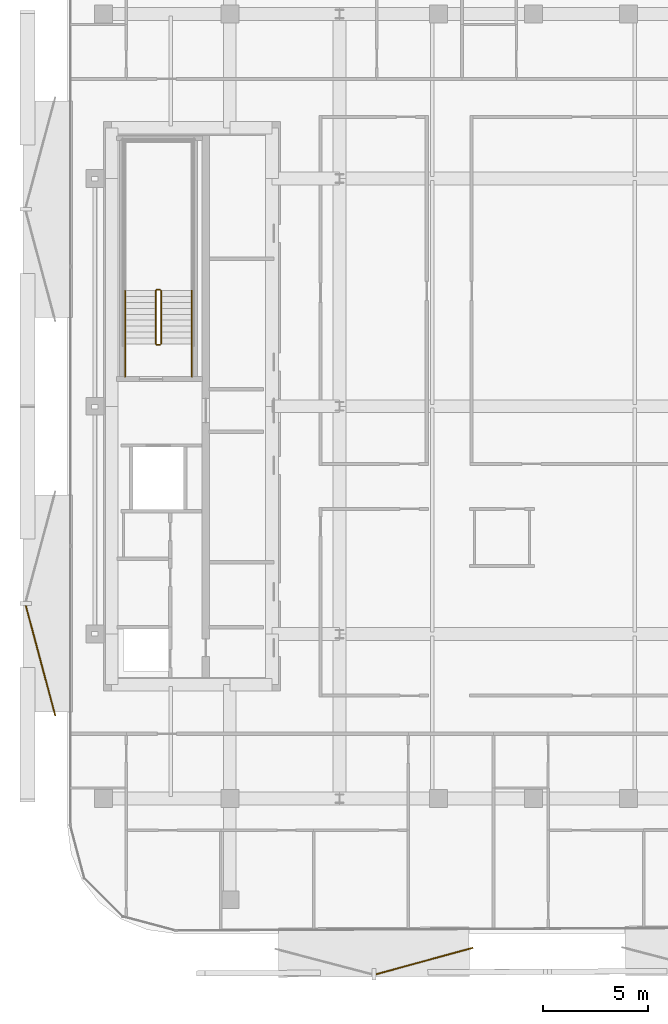
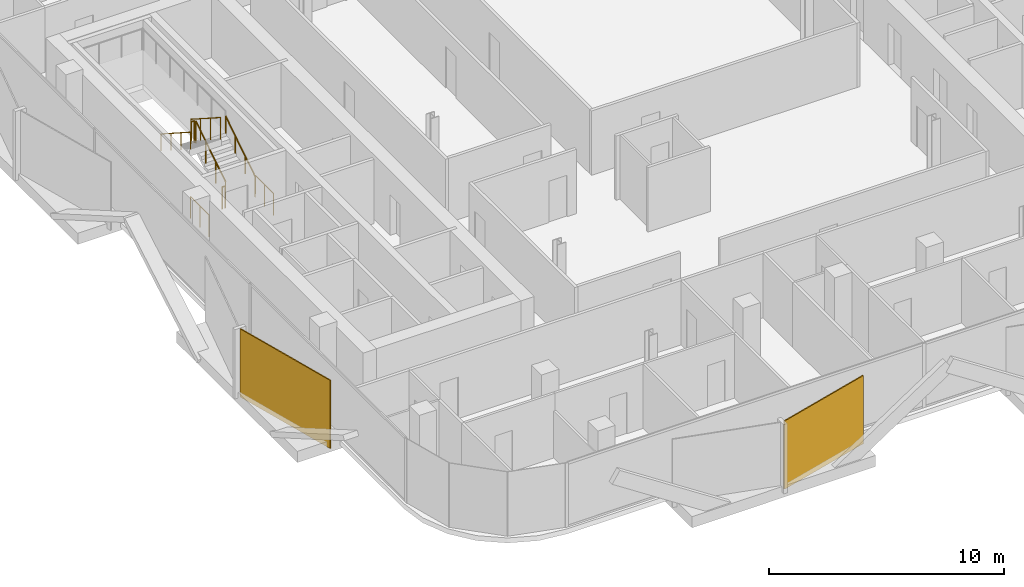
# One storey, part 12 of 14: 8 railings, 2 coverings.
"""IFC4 building model written with IfcOpenShell, lengths in metres."""

from ifc_helpers import new_model, si_unit, direction, frame, origin, origin_2d, place, context, subcontext, project, spatial, rectangle, circle, extrude, material, layer, layer_set, type_object, element, save


model = new_model("IFC4")

# Units and contexts
model_context = context("Model", 3, precision=1e-05, world=origin(), true_north=direction((0.0, 1.0)))
body_context = subcontext(model_context, "Body", "Model", "MODEL_VIEW")
ifc_project = project(units=[si_unit("LENGTHUNIT", "METRE"), si_unit("AREAUNIT", "SQUARE_METRE"), si_unit("VOLUMEUNIT", "CUBIC_METRE"), si_unit("PLANEANGLEUNIT", "RADIAN"), si_unit("MASSUNIT", "GRAM", prefix="KILO")], contexts=[model_context])

# Site, building, storey
site_placement = place(None, origin())
site = spatial("IfcSite", under=ifc_project, at=site_placement, CompositionType="ELEMENT")
building_placement = place(site_placement, origin())
building = spatial("IfcBuilding", under=site, at=building_placement, Name="Khairoan Windgate Tower", CompositionType="ELEMENT")
storey_placement = place(building_placement, frame((0.0, 0.0, 229.60009765625)))
storey = spatial("IfcBuildingStorey", under=building, at=storey_placement, Name="L53", CompositionType="ELEMENT", Elevation=229.60009765625)

# Coverings
ifc_material_1 = material(Name="Anodised Bronze Aluminium 6063-T6", Category="aluminium")
ifc_layer = layer(ifc_material_1, 0.054931640625, Name="Anodised Bronze Aluminium 6063-T6")
ifc_layer_set = layer_set([ifc_layer], Name="Anodised Bronze Aluminium 6063-T6")
covering_type = type_object("IfcCoveringType", Name="Perforated Bronze-Ceramic Folded Solar Screen Cladding BSC-1", PredefinedType="CLADDING", material=ifc_layer_set)
covering_1_placement = place(storey_placement, frame((-5.172607421875, -26.30615234375, -0.10009765625), z_axis=(0.0, 0.0, 1.0), x_axis=(-0.964649468762, -0.263536339841, 0.0)))
element("IfcCovering", 1, at=covering_1_placement, inside=storey, type_object=covering_type, Name="L53 Folded Bronze Solar Screen Facet 354L", PredefinedType="CLADDING", context=body_context, shape_type="SweptSolid", body=[
    extrude(rectangle(XDim=4.76708984375, YDim=0.054931640625, at=origin_2d()), origin(), (0.0, 0.0, 1.0), 3.5400390625),
])
covering_2_placement = place(storey_placement, frame((-23.378662109375, -12.052978515625, -0.10009765625), z_axis=(0.0, 0.0, 1.0), x_axis=(-0.258819045103, 0.965925826289, 0.0)))
element("IfcCovering", 2, at=covering_2_placement, inside=storey, type_object=covering_type, Name="L53 Folded Bronze Solar Screen Facet 355L", PredefinedType="CLADDING", context=body_context, shape_type="SweptSolid", body=[
    extrude(rectangle(XDim=5.419921875, YDim=0.054931640625, at=origin_2d()), origin(), (0.0, 0.0, 1.0), 3.5400390625),
])

# Railings
ifc_material_2 = material(Name="Anodised Bronze Aluminium 6063-T6", Category="aluminium")
railing_type_1 = type_object("IfcRailingType", Name="Stair Wall Handrail SHR-900", PredefinedType="HANDRAIL", material=ifc_material_2)
railing_1_placement = place(storey_placement, frame((-16.199951171875, 2.9599609375, 0.179931640625)))
element("IfcRailing", 3, at=railing_1_placement, inside=storey, type_object=railing_type_1, Name="L53 ST2 stair handrail 1", PredefinedType="HANDRAIL", context=body_context, shape_type="SweptSolid", body=[
    extrude(circle(Radius=0.02392578125, at=origin_2d()), frame((0.0, 0.0, 0.8759765625), z_axis=(0.0, 0.841199657755, 0.540724639528), x_axis=(-1.0, 0.0, 0.0)), (0.0, 0.0, 1.0), 2.995849609375),
    extrude(circle(Radius=0.02099609375, at=origin_2d()), origin(), (0.0, 0.0, 1.0), 0.851806640625),
    extrude(circle(Radius=0.02099609375, at=origin_2d()), frame((0.0, 0.840087890625, 0.5400390625)), (0.0, 0.0, 1.0), 0.851806640625),
    extrude(circle(Radius=0.02099609375, at=origin_2d()), frame((0.0, 1.679931640625, 1.079833984375)), (0.0, 0.0, 1.0), 0.851806640625),
    extrude(circle(Radius=0.02099609375, at=origin_2d()), frame((0.0, 2.52001953125, 1.619873046875)), (0.0, 0.0, 1.0), 0.851806640625),
])
railing_2_placement = place(storey_placement, frame((-19.3701171875, 5.47998046875, 1.97998046875)))
element("IfcRailing", 4, at=railing_2_placement, inside=storey, type_object=railing_type_1, Name="L53 ST2 stair handrail 2", PredefinedType="HANDRAIL", context=body_context, shape_type="SweptSolid", body=[
    extrude(circle(Radius=0.02392578125, at=origin_2d()), frame((0.0, 0.0, 0.8759765625), z_axis=(0.0, -0.841199657755, 0.540724639528), x_axis=(1.0, 0.0, 0.0)), (0.0, 0.0, 1.0), 2.995849609375),
    extrude(circle(Radius=0.02099609375, at=origin_2d()), origin(), (0.0, 0.0, 1.0), 0.851806640625),
    extrude(circle(Radius=0.02099609375, at=origin_2d()), frame((0.0, -0.840087890625, 0.5400390625)), (0.0, 0.0, 1.0), 0.851806640625),
    extrude(circle(Radius=0.02099609375, at=origin_2d()), frame((0.0, -1.679931640625, 1.079833984375)), (0.0, 0.0, 1.0), 0.851806640625),
    extrude(circle(Radius=0.02099609375, at=origin_2d()), frame((0.0, -2.52001953125, 1.619873046875)), (0.0, 0.0, 1.0), 0.851806640625),
])
ifc_material_3 = material(Name="Steel S355", Category="steel")
railing_type_2 = type_object("IfcRailingType", Name="Stairwell Safety Guardrail SGR-1150", PredefinedType="GUARDRAIL", material=ifc_material_3)
railing_3_placement = place(storey_placement, frame((-17.659912109375, 2.9599609375, 0.179931640625)))
element("IfcRailing", 5, at=railing_3_placement, inside=storey, type_object=railing_type_2, Name="L53 ST2 stair guard 1", PredefinedType="GUARDRAIL", context=body_context, shape_type="SweptSolid", body=[
    extrude(circle(Radius=0.02392578125, at=origin_2d()), frame((0.0, 0.0, 1.1259765625), z_axis=(0.0, 0.841199657755, 0.540724639528), x_axis=(-1.0, 0.0, 0.0)), (0.0, 0.0, 1.0), 2.995849609375),
    extrude(circle(Radius=0.02099609375, at=origin_2d()), origin(), (0.0, 0.0, 1.0), 1.101806640625),
    extrude(circle(Radius=0.02099609375, at=origin_2d()), frame((0.0, 0.840087890625, 0.5400390625)), (0.0, 0.0, 1.0), 1.101806640625),
    extrude(circle(Radius=0.02099609375, at=origin_2d()), frame((0.0, 1.679931640625, 1.079833984375)), (0.0, 0.0, 1.0), 1.101806640625),
    extrude(circle(Radius=0.02099609375, at=origin_2d()), frame((0.0, 2.52001953125, 1.619873046875)), (0.0, 0.0, 1.0), 1.101806640625),
])
railing_4_placement = place(storey_placement, frame((-17.7099609375, 5.530029296875, 1.7998046875)))
element("IfcRailing", 6, at=railing_4_placement, inside=storey, type_object=railing_type_2, Name="L53 ST2 stair guard 2", PredefinedType="GUARDRAIL", context=body_context, shape_type="SweptSolid", body=[
    extrude(circle(Radius=0.02392578125, at=origin_2d()), frame((0.0, 0.0, 1.1259765625), z_axis=(-1.0, 0.0, 0.0), x_axis=(0.0, -1.0, 0.0)), (0.0, 0.0, 1.0), 0.150146484375),
    extrude(circle(Radius=0.02099609375, at=origin_2d()), origin(), (0.0, 0.0, 1.0), 1.101806640625),
    extrude(circle(Radius=0.02099609375, at=origin_2d()), frame((-0.150146484375, 0.0, 0.0)), (0.0, 0.0, 1.0), 1.101806640625),
])
railing_5_placement = place(storey_placement, frame((-17.909912109375, 5.47998046875, 1.97998046875)))
element("IfcRailing", 7, at=railing_5_placement, inside=storey, type_object=railing_type_2, Name="L53 ST2 stair guard 6", PredefinedType="GUARDRAIL", context=body_context, shape_type="SweptSolid", body=[
    extrude(circle(Radius=0.02392578125, at=origin_2d()), frame((0.0, 0.0, 1.1259765625), z_axis=(0.0, -0.841199657755, 0.540724639528), x_axis=(1.0, 0.0, 0.0)), (0.0, 0.0, 1.0), 2.995849609375),
    extrude(circle(Radius=0.02099609375, at=origin_2d()), origin(), (0.0, 0.0, 1.0), 1.101806640625),
    extrude(circle(Radius=0.02099609375, at=origin_2d()), frame((0.0, -0.840087890625, 0.5400390625)), (0.0, 0.0, 1.0), 1.101806640625),
    extrude(circle(Radius=0.02099609375, at=origin_2d()), frame((0.0, -1.679931640625, 1.079833984375)), (0.0, 0.0, 1.0), 1.101806640625),
    extrude(circle(Radius=0.02099609375, at=origin_2d()), frame((0.0, -2.52001953125, 1.619873046875)), (0.0, 0.0, 1.0), 1.101806640625),
])
railing_6_placement = place(storey_placement, frame((-17.7099609375, 2.909912109375, 0.0)))
element("IfcRailing", 8, at=railing_6_placement, inside=storey, type_object=railing_type_2, Name="L53 ST2 stair guard 7", PredefinedType="GUARDRAIL", context=body_context, shape_type="SweptSolid", body=[
    extrude(circle(Radius=0.02392578125, at=origin_2d()), frame((0.0, 0.0, 1.1259765625), z_axis=(-1.0, 0.0, 0.0), x_axis=(0.0, -1.0, 0.0)), (0.0, 0.0, 1.0), 0.150146484375),
    extrude(circle(Radius=0.02099609375, at=origin_2d()), origin(), (0.0, 0.0, 1.0), 1.101806640625),
    extrude(circle(Radius=0.02099609375, at=origin_2d()), frame((-0.150146484375, 0.0, 0.0)), (0.0, 0.0, 1.0), 1.101806640625),
])
for number, where, name in (
    (9, (-16.199951171875, 1.39990234375, 0.0), "L53 ST2 stair guard 8"),
    (10, (-19.3701171875, 1.39990234375, 0.0), "L53 ST2 stair guard 9"),
):
    element("IfcRailing", number, at=place(storey_placement, frame(where)), inside=storey, type_object=railing_type_2, Name=name, PredefinedType="GUARDRAIL", context=body_context, shape_type="SweptSolid", body=[
        extrude(circle(Radius=0.02392578125, at=origin_2d()), frame((0.0, 0.0, 1.1259765625), z_axis=(0.0, 1.0, 0.0), x_axis=(-1.0, 0.0, 0.0)), (0.0, 0.0, 1.0), 1.56005859375),
        extrude(circle(Radius=0.02099609375, at=origin_2d()), origin(), (0.0, 0.0, 1.0), 1.101806640625),
        extrude(circle(Radius=0.02099609375, at=origin_2d()), frame((0.0, 0.780029296875, 0.0)), (0.0, 0.0, 1.0), 1.101806640625),
        extrude(circle(Radius=0.02099609375, at=origin_2d()), frame((0.0, 1.56005859375, 0.0)), (0.0, 0.0, 1.0), 1.101806640625),
    ])

save(model, "model.ifc")
